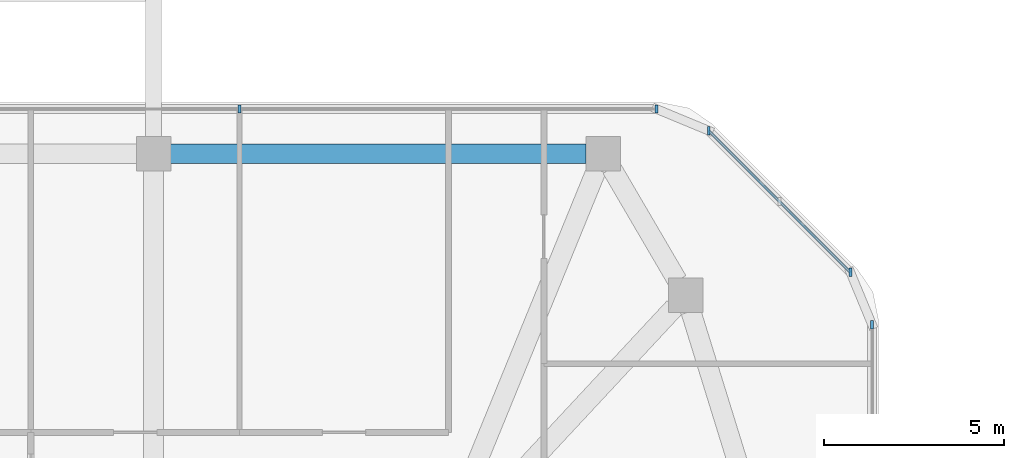
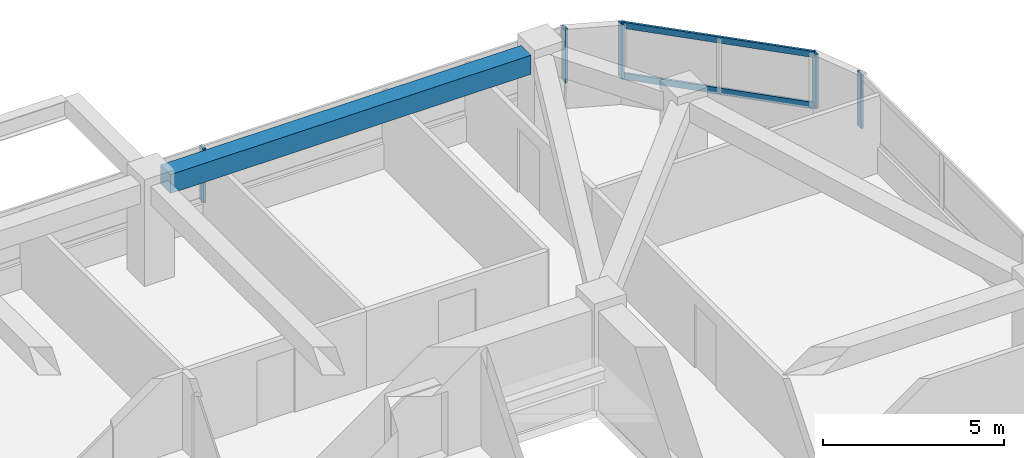
# One storey, part 6 of 12: 7 members, 1 beam, 3 elements without a shape of their own.
"""IFC4 building model written with IfcOpenShell, lengths in metres."""

from ifc_helpers import new_model, si_unit, derived_unit, direction, frame, origin, origin_2d, place, context, subcontext, project, spatial, rectangle, extrude, material, material_profile, profile_set, type_object, element, aggregate, save


model = new_model("IFC4")

# Units and contexts
model_context = context("Model", 3, precision=1e-05, world=origin(), true_north=direction((0.0, 1.0)))
body_context = subcontext(model_context, "Body", "Model", "MODEL_VIEW")
ifc_project = project(units=[si_unit("LENGTHUNIT", "METRE"), si_unit("AREAUNIT", "SQUARE_METRE"), si_unit("VOLUMEUNIT", "CUBIC_METRE"), si_unit("PLANEANGLEUNIT", "RADIAN"), si_unit("MASSUNIT", "GRAM", prefix="KILO"), derived_unit("THERMALTRANSMITTANCEUNIT", [(si_unit("POWERUNIT", "WATT"), 1), (si_unit("LENGTHUNIT", "METRE"), -2), (si_unit("THERMODYNAMICTEMPERATUREUNIT", "KELVIN"), -1)])], contexts=[model_context])

# Site, building, storey
site_placement = place(None, origin())
site = spatial("IfcSite", under=ifc_project, at=site_placement, CompositionType="ELEMENT")
building_placement = place(site_placement, origin())
building = spatial("IfcBuilding", under=site, at=building_placement, Name="Koralith Skygarden Medical Center", CompositionType="ELEMENT")
storey_placement = place(building_placement, frame((0.0, 0.0, 170.820068359375)))
storey = spatial("IfcBuildingStorey", under=building, at=storey_placement, Name="L44", CompositionType="ELEMENT", Elevation=170.820068359375)

# Curtain wall, member
ifc_material_1 = material(Name="Clear Laminated Glass", Category="glass")
curtain_wall_type = type_object("IfcCurtainWallType", Name="CW-4 Zone 3 Waist High-Wind Curtain Wall", PredefinedType="NOTDEFINED", material=ifc_material_1)
curtain_wall_1_placement = place(storey_placement, origin())
curtain_wall_1 = element("IfcCurtainWall", 1, at=curtain_wall_1_placement, inside=storey, type_object=curtain_wall_type, Name="Curtain Wall CW-L44-E-R", PredefinedType="NOTDEFINED")
ifc_material_2 = material(Name="Aluminium 6063-T6", Category="aluminium")
ifc_material_profile_1 = material_profile(ifc_material_2, rectangle(XDim=0.076904296875, YDim=0.22998046875, at=origin_2d()), Name="MUL77X230")
ifc_profile_set_1 = profile_set([ifc_material_profile_1], Name="Aluminium 6063-T6")
member_type_1 = type_object("IfcMemberType", Name="CW-4 Extruded Mullion 77x230", PredefinedType="MULLION", material=ifc_profile_set_1)
member_1_placement = place(storey_placement, frame((60.303955078125, 41.14501953125, 0.849853515625), z_axis=(0.0, 0.0, 1.0), x_axis=(1.0, 0.0, 0.0)))
member_1 = element("IfcMember", 2, at=member_1_placement, type_object=member_type_1, Name="CW-L44-E-R Mullion 4", PredefinedType="MULLION", context=body_context, shape_type="SweptSolid", body=[
    extrude(rectangle(XDim=0.076904296875, YDim=0.22998046875, at=origin_2d()), origin(), (0.0, 0.0, 1.0), 1.820068359375),
])
aggregate(curtain_wall_1, [member_1])

# Curtain wall, members
curtain_wall_2_placement = place(storey_placement, origin())
curtain_wall_2 = element("IfcCurtainWall", 3, at=curtain_wall_2_placement, inside=storey, type_object=curtain_wall_type, Name="Curtain Wall CW-L44-NE", PredefinedType="NOTDEFINED")
member_2_placement = place(storey_placement, frame((59.702880859375, 42.595947265625, 0.849853515625), z_axis=(0.0, 0.0, 1.0), x_axis=(1.0, 0.0, 0.0)))
member_2 = element("IfcMember", 4, at=member_2_placement, type_object=member_type_1, Name="CW-L44-NE Mullion 1", PredefinedType="MULLION", context=body_context, shape_type="SweptSolid", body=[
    extrude(rectangle(XDim=0.076904296875, YDim=0.22998046875, at=origin_2d()), origin(), (0.0, 0.0, 1.0), 1.820068359375),
])
member_3_placement = place(storey_placement, frame((55.780029296875, 46.51904296875, 0.849853515625), z_axis=(0.0, 0.0, 1.0), x_axis=(1.0, 0.0, 0.0)))
member_3 = element("IfcMember", 5, at=member_3_placement, type_object=member_type_1, Name="CW-L44-NE Mullion 3", PredefinedType="MULLION", context=body_context, shape_type="SweptSolid", body=[
    extrude(rectangle(XDim=0.076904296875, YDim=0.22998046875, at=origin_2d()), origin(), (0.0, 0.0, 1.0), 1.820068359375),
])

curtain_wall_3_placement = place(storey_placement, origin())
curtain_wall_3 = element("IfcCurtainWall", 6, at=curtain_wall_3_placement, inside=storey, type_object=curtain_wall_type, Name="Curtain Wall CW-L44-N", PredefinedType="NOTDEFINED")
member_4_placement = place(storey_placement, frame((54.3291015625, 47.1201171875, 0.849853515625), z_axis=(0.0, 0.0, 1.0), x_axis=(1.0, 0.0, 0.0)))
member_4 = element("IfcMember", 7, at=member_4_placement, type_object=member_type_1, Name="CW-L44-N Mullion 1", PredefinedType="MULLION", context=body_context, shape_type="SweptSolid", body=[
    extrude(rectangle(XDim=0.076904296875, YDim=0.22998046875, at=origin_2d()), origin(), (0.0, 0.0, 1.0), 1.820068359375),
])
member_5_placement = place(storey_placement, frame((42.77587890625, 47.1201171875, 0.849853515625), z_axis=(0.0, 0.0, 1.0), x_axis=(1.0, 0.0, 0.0)))
member_5 = element("IfcMember", 8, at=member_5_placement, type_object=member_type_1, Name="CW-L44-N Mullion 2", PredefinedType="MULLION", context=body_context, shape_type="SweptSolid", body=[
    extrude(rectangle(XDim=0.076904296875, YDim=0.22998046875, at=origin_2d()), origin(), (0.0, 0.0, 1.0), 1.820068359375),
])
aggregate(curtain_wall_3, [member_4, member_5])

# Member
ifc_material_profile_2 = material_profile(ifc_material_2, rectangle(XDim=0.072021484375, YDim=0.20703125, at=origin_2d()), Name="TRN72X207")
ifc_profile_set_2 = profile_set([ifc_material_profile_2], Name="Aluminium 6063-T6")
member_type_2 = type_object("IfcMemberType", Name="CW-4 Thermal Transom 72x207", PredefinedType="USERDEFINED", material=ifc_profile_set_2)
member_6_placement = place(storey_placement, frame((59.702880859375, 42.595947265625, 0.89990234375), z_axis=(-0.707084777957, 0.707128783731, 0.0), x_axis=(-0.707128783731, -0.707084777957, 0.0)))
member_6 = element("IfcMember", 9, at=member_6_placement, type_object=member_type_2, Name="CW-L44-NE Transom 1", ObjectType="TRANSOM", PredefinedType="USERDEFINED", context=body_context, shape_type="SweptSolid", body=[
    extrude(rectangle(XDim=0.072021484375, YDim=0.20703125, at=origin_2d()), origin(), (0.0, 0.0, 1.0), 5.5478515625),
])

member_7_placement = place(storey_placement, frame((59.702880859375, 42.595947265625, 2.619873046875), z_axis=(-0.707084777957, 0.707128783731, 0.0), x_axis=(-0.707128783731, -0.707084777957, 0.0)))
member_7 = element("IfcMember", 10, at=member_7_placement, type_object=member_type_2, Name="CW-L44-NE Transom 2", ObjectType="TRANSOM", PredefinedType="USERDEFINED", context=body_context, shape_type="SweptSolid", body=[
    extrude(rectangle(XDim=0.072021484375, YDim=0.20703125, at=origin_2d()), origin(), (0.0, 0.0, 1.0), 5.5478515625),
])

aggregate(curtain_wall_2, [member_2, member_3, member_6, member_7])

# Beam
ifc_material_3 = material(Name="Concrete C45/55", Category="concrete")
ifc_material_profile_3 = material_profile(ifc_material_3, rectangle(XDim=0.550048828125, YDim=0.639892578125, at=origin_2d()), Name="RCB550X640")
ifc_profile_set_3 = profile_set([ifc_material_profile_3], Name="Concrete C45/55")
beam_type = type_object("IfcBeamType", Name="Zone 2-3 Spandrel Beam RCB550X640", PredefinedType="SPANDREL", material=ifc_profile_set_3)
beam_placement = place(storey_placement, frame((52.382080078125, 45.8798828125, 3.0), z_axis=(-1.0, 0.0, 0.0), x_axis=(0.0, -1.0, 0.0)))
element("IfcBeam", 11, at=beam_placement, inside=storey, type_object=beam_type, Name="L44 Perimeter Spandrel Beam SP-11", PredefinedType="SPANDREL", context=body_context, shape_type="SweptSolid", body=[
    extrude(rectangle(XDim=0.550048828125, YDim=0.639892578125, at=origin_2d()), origin(), (0.0, 0.0, 1.0), 11.511962890625),
])

save(model, "model.ifc")
